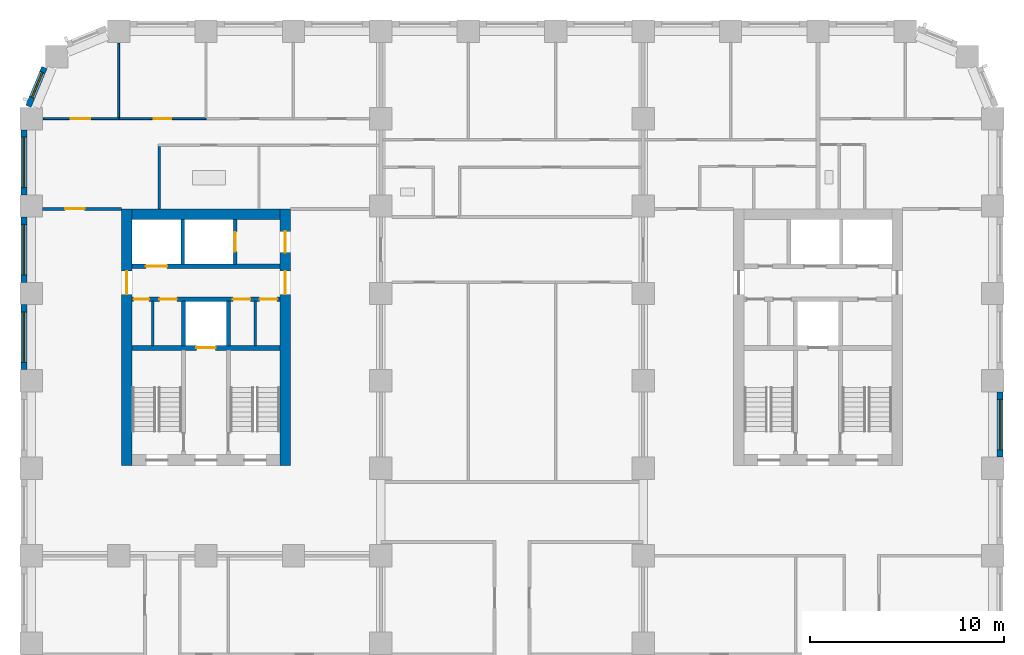
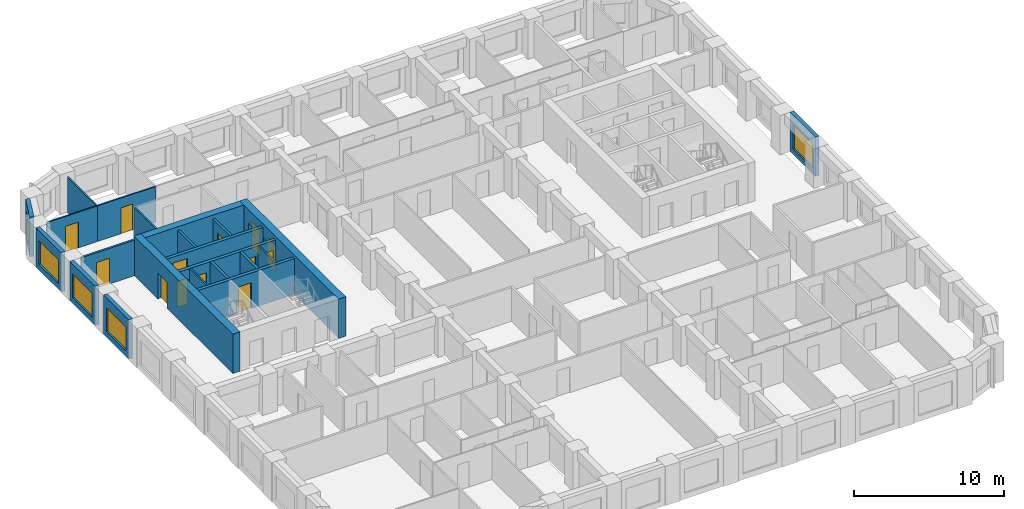
# One storey, part 6 of 13: 22 walls, 13 doors, 5 windows, 18 openings.
"""IFC4 building model written with IfcOpenShell, lengths in metres."""

import ifcopenshell
import ifcopenshell.guid

model = None  # the IFC model being written
_history = None  # IfcOwnerHistory: only IFC2X3 demands one
_inside = {}  # id of a spatial element -> (the spatial element, [elements in it])
_under = {}  # id of a project, library or spatial element -> (it, [spatial elements below it])
_declared = {}  # id of a project -> (the project, [libraries it declares])
_typed = {}  # id of a type object -> (the type object, [elements of that type])
_made_of = {}  # id of a material, layer set ... -> (it, [elements and type objects made of it])


def new_model(schema):
    """Start an empty IFC model of exactly this schema.

    Asked for "IFC4X3", IfcOpenShell would pick the latest addendum, in which some entities
    have other attributes; the version numbers below select the first issue.
    IFC2X3 requires an IfcOwnerHistory on every rooted entity: one is made here for all.
    """
    global model, _history
    if schema == "IFC4X3":
        model = ifcopenshell.file(schema_version=(4, 3, 0, 0))
    else:
        model = ifcopenshell.file(schema=schema)
    _inside.clear()
    _under.clear()
    _declared.clear()
    _typed.clear()
    _made_of.clear()
    _history = None
    if model.schema == "IFC2X3":
        org = make("IfcOrganization", Name="unknown")
        user = make(
            "IfcPersonAndOrganization",
            ThePerson=make("IfcPerson", FamilyName="unknown"),
            TheOrganization=org,
        )
        app = make(
            "IfcApplication",
            ApplicationDeveloper=org,
            Version="unknown",
            ApplicationFullName="unknown",
            ApplicationIdentifier="unknown",
        )
        _history = make(
            "IfcOwnerHistory",
            OwningUser=user,
            OwningApplication=app,
            ChangeAction="ADDED",
            CreationDate=0,
        )
    return model


def make(cls, **values):
    """One entity of the class cls with the attributes given. An attribute that is None is left unset."""
    return model.create_entity(
        cls, **{name: value for name, value in values.items() if value is not None}
    )


def rooted(cls, **values):
    """An entity with a GlobalId (a new one), such as an element, a storey or a relation."""
    return make(cls, GlobalId=ifcopenshell.guid.new(), OwnerHistory=_history, **values)


def si_unit(unit_type, name, prefix=None):
    """IfcSIUnit, for example si_unit("LENGTHUNIT", "METRE", prefix="MILLI")."""
    return make("IfcSIUnit", UnitType=unit_type, Prefix=prefix, Name=name)


def assignment(units):
    """IfcUnitAssignment: the units of a project."""
    return None if units is None else make("IfcUnitAssignment", Units=units)


def point(xyz):
    """IfcCartesianPoint."""
    return None if xyz is None else make("IfcCartesianPoint", Coordinates=xyz)


def direction(xyz):
    """IfcDirection."""
    return None if xyz is None else make("IfcDirection", DirectionRatios=xyz)


def frame(location, z_axis=None, x_axis=None):
    """IfcAxis2Placement3D, a coordinate frame: its origin and axes. An axis left out is left unset."""
    return make(
        "IfcAxis2Placement3D",
        Location=point(location),
        Axis=direction(z_axis),
        RefDirection=direction(x_axis),
    )


def frame_2d(location, x_axis=None):
    """IfcAxis2Placement2D, a coordinate frame in the plane: its origin and x axis."""
    return make(
        "IfcAxis2Placement2D", Location=point(location), RefDirection=direction(x_axis)
    )


def origin():
    """The frame at (0, 0, 0) with its axes left unset."""
    return frame((0.0, 0.0, 0.0))


def place(relative_to, where):
    """IfcLocalPlacement: puts the frame where relative to a parent placement (None: the world)."""
    return make(
        "IfcLocalPlacement", PlacementRelTo=relative_to, RelativePlacement=where
    )


def context(
    kind, dimensions, precision=None, world=None, true_north=None, identifier=None
):
    """IfcGeometricRepresentationContext, for example the 3D "Model" context."""
    return make(
        "IfcGeometricRepresentationContext",
        ContextIdentifier=identifier,
        ContextType=kind,
        CoordinateSpaceDimension=dimensions,
        Precision=precision,
        WorldCoordinateSystem=world,
        TrueNorth=true_north,
    )


def subcontext(parent, identifier, kind, view, scale=None):
    """IfcGeometricRepresentationSubContext, for example "Body" below "Model"."""
    return make(
        "IfcGeometricRepresentationSubContext",
        ContextIdentifier=identifier,
        ContextType=kind,
        ParentContext=parent,
        TargetScale=scale,
        TargetView=view,
    )


def project(units=None, contexts=None):
    """IfcProject with its units and contexts."""
    return rooted(
        "IfcProject",
        Name="project",
        RepresentationContexts=contexts,
        UnitsInContext=assignment(units),
    )


def spatial(cls, under=None, at=None, **own):
    """A site, building, storey or space (cls), placed at a placement, below another one or the project."""
    s = rooted(cls, ObjectPlacement=at, **own)
    if under is not None:
        _under.setdefault(under.id(), (under, []))[1].append(s)
    return s


def profile(cls, at=None, kind="AREA", **sizes):
    """A parametric profile (cls). Its sizes go by their IFC names, for example OverallWidth=200.0."""
    return make(cls, ProfileType=kind, Position=at, **sizes)


def rectangle(**sizes):
    """IfcRectangleProfileDef."""
    return profile("IfcRectangleProfileDef", **sizes)


def extrude(swept, where, along, depth):
    """IfcExtrudedAreaSolid: the profile swept, set in the frame where, extruded along a direction by depth."""
    return make(
        "IfcExtrudedAreaSolid",
        SweptArea=swept,
        Position=where,
        ExtrudedDirection=direction(along),
        Depth=depth,
    )


def shape(context_of_items, identifier, shape_type, items):
    """IfcShapeRepresentation: the items that make up one representation, for example the "Body"."""
    return make(
        "IfcShapeRepresentation",
        ContextOfItems=context_of_items,
        RepresentationIdentifier=identifier,
        RepresentationType=shape_type,
        Items=items,
    )


def material(Name=None, Category=None):
    """IfcMaterial."""
    return make("IfcMaterial", Name=Name, Category=Category)


def layer(
    of_material, thickness, ventilated=None, Name=None, Category=None, Priority=None
):
    """IfcMaterialLayer: one layer of a wall or slab, of a material (None: an air gap)."""
    return make(
        "IfcMaterialLayer",
        Material=of_material,
        LayerThickness=thickness,
        IsVentilated=ventilated,
        Name=Name,
        Category=Category,
        Priority=Priority,
    )


def layer_set(layers, Name=None):
    """IfcMaterialLayerSet."""
    return make("IfcMaterialLayerSet", MaterialLayers=layers, LayerSetName=Name)


def made_of(thing, what):
    """Note that an element or type object is made of a material, layer set ...; save() writes the relation."""
    if what is not None:
        _made_of.setdefault(what.id(), (what, []))[1].append(thing)
    return thing


def type_object(cls, material=None, **own):
    """A type object (cls), such as IfcWallType, which elements share."""
    return made_of(rooted(cls, **own), material)


def element(
    cls,
    number,
    at=None,
    inside=None,
    cuts=None,
    type_object=None,
    material=None,
    context=None,
    identifier="Body",
    shape_type=None,
    held_by="IfcProductDefinitionShape",
    body=None,
    shapes=None,
    **own,
):
    """One element of the class cls, such as IfcWall. Its Tag is "e" and its number.

    at: its placement. inside: the storey or other place that contains it. cuts: it is an
    opening in that element (IfcRelVoidsElement). A single representation is given by context,
    identifier, shape_type and body (its items); several are given by shapes. held_by: the class
    of the entity that holds the representations. save() writes the other relations.
    """
    e = rooted(cls, Tag="e%d" % number, ObjectPlacement=at, **own)
    if body is not None:
        shapes = [shape(context, identifier, shape_type, body)]
    if shapes is not None:
        e.Representation = make(held_by, Representations=shapes)
    if inside is not None:
        _inside.setdefault(inside.id(), (inside, []))[1].append(e)
    if cuts is not None:
        rooted(
            "IfcRelVoidsElement", RelatingBuildingElement=cuts, RelatedOpeningElement=e
        )
    if type_object is not None:
        _typed.setdefault(type_object.id(), (type_object, []))[1].append(e)
    return made_of(e, material)


def fill(opening, filler):
    """IfcRelFillsElement: the door or window that sits in an opening."""
    return rooted(
        "IfcRelFillsElement",
        RelatingOpeningElement=opening,
        RelatedBuildingElement=filler,
    )


def aggregate(whole, parts):
    """IfcRelAggregates: a whole, such as a stair, and the parts it consists of."""
    return rooted("IfcRelAggregates", RelatingObject=whole, RelatedObjects=parts)


def save(model, path):
    """Write the relations noted so far, then the file.

    IfcRelAggregates (storeys below a building ...), IfcRelContainedInSpatialStructure (elements
    in a storey), IfcRelDefinesByType, IfcRelAssociatesMaterial and IfcRelDeclares: one each for
    every whole, place, type object, material and project.
    """
    for whole, parts in _under.values():
        aggregate(whole, parts)
    for where, things in _inside.values():
        rooted(
            "IfcRelContainedInSpatialStructure",
            RelatedElements=things,
            RelatingStructure=where,
        )
    for kind, things in _typed.values():
        rooted("IfcRelDefinesByType", RelatedObjects=things, RelatingType=kind)
    for what, things in _made_of.values():
        rooted("IfcRelAssociatesMaterial", RelatedObjects=things, RelatingMaterial=what)
    for by, libraries in _declared.values():
        rooted("IfcRelDeclares", RelatingContext=by, RelatedDefinitions=libraries)
    model.write(path)


model = new_model("IFC4")

# Units and contexts
model_context = context("Model", 3, precision=1e-05, world=origin(), true_north=direction((0.0, 1.0)))
body_context = subcontext(model_context, "Body", "Model", "MODEL_VIEW")
ifc_project = project(units=[si_unit("LENGTHUNIT", "METRE"), si_unit("AREAUNIT", "SQUARE_METRE"), si_unit("VOLUMEUNIT", "CUBIC_METRE"), si_unit("PLANEANGLEUNIT", "RADIAN"), si_unit("MASSUNIT", "GRAM", prefix="KILO")], contexts=[model_context])

# Site, building, storey
site_placement = place(None, origin())
site = spatial("IfcSite", under=ifc_project, at=site_placement, CompositionType="ELEMENT")
building_placement = place(site_placement, origin())
building = spatial("IfcBuilding", under=site, at=building_placement, Name="Girih Gate Residences", CompositionType="ELEMENT")
storey_placement = place(building_placement, frame((0.0, 0.0, 89.60009765625)))
storey = spatial("IfcBuildingStorey", under=building, at=storey_placement, Name="L24", CompositionType="ELEMENT", Elevation=89.60009765625)

# Wall, opening, door
ifc_material_1 = material(Name="Gypsum board on steel studs", Category="steel")
ifc_layer_1 = layer(ifc_material_1, 0.14990234375)
ifc_layer_set_1 = layer_set([ifc_layer_1], Name="Compartment wall 150 mm")
wall_type_1 = type_object("IfcWallType", Name="Compartment wall 150 mm", PredefinedType="PARTITIONING", material=ifc_layer_set_1)
wall_1_placement = place(storey_placement, frame((0.574951171875, 40.35009765625, 0.0), z_axis=(0.0, 0.0, 1.0), x_axis=(1.0, 0.0, 0.0)))
wall_1 = element("IfcWall", 1, at=wall_1_placement, inside=storey, type_object=wall_type_1, Name="L24 partition", PredefinedType="PARTITIONING", context=body_context, shape_type="SweptSolid", body=[
    extrude(rectangle(XDim=4.074951171875, YDim=0.14990234375, at=frame_2d((2.03759765625, 0.0))), origin(), (0.0, 0.0, 1.0), 2.89990234375),
])
opening_1_placement = place(wall_1_placement, frame((1.175048828125, 0.0, 0.0)))
opening_1 = element("IfcOpeningElement", 2, at=opening_1_placement, cuts=wall_1, Name="Opening A24-014", PredefinedType="OPENING", context=body_context, shape_type="SweptSolid", body=[
    extrude(rectangle(XDim=1.0, YDim=2.10009765625, at=frame_2d((0.5, 1.050048828125))), frame((0.0, 0.0849609375, 0.0), z_axis=(0.0, -1.0, 0.0), x_axis=(1.0, 0.0, 0.0)), (0.0, 0.0, 1.0), 0.169921875),
])
ifc_material_2 = material(Name="Timber, fire-rated core", Category="wood")
door_type_1 = type_object("IfcDoorType", Name="Flat entrance door 1000x2100 FD30S", OperationType="NOTDEFINED", PredefinedType="DOOR", material=ifc_material_2)
door_1_placement = place(opening_1_placement, origin())
door_1 = element("IfcDoor", 3, at=door_1_placement, inside=storey, type_object=door_type_1, Name="Door A24-014", OperationType="SINGLE_SWING_LEFT", OverallHeight=2.10009765625, OverallWidth=1.0, PredefinedType="DOOR", context=body_context, shape_type="SweptSolid", body=[
    extrude(rectangle(XDim=1.0, YDim=2.10009765625, at=frame_2d((0.5, 1.050048828125))), frame((0.0, 0.02490234375, 0.0), z_axis=(0.0, -1.0, 0.0), x_axis=(1.0, 0.0, 0.0)), (0.0, 0.0, 1.0), 0.050048828125),
])
fill(opening_1, door_1)

# Wall
ifc_material_3 = material(Name="Concrete C60/75", Category="concrete")
ifc_layer_2 = layer(ifc_material_3, 0.550048828125)
ifc_layer_set_2 = layer_set([ifc_layer_2], Name="Core wall RC 550 Concrete C60/75")
wall_type_2 = type_object("IfcWallType", Name="Core wall RC 550 Concrete C60/75", PredefinedType="SOLIDWALL", material=ifc_layer_set_2)
wall_2_placement = place(storey_placement, frame((5.199951171875, 40.074951171875, 0.0), z_axis=(0.0, 0.0, 1.0), x_axis=(1.0, 0.0, 0.0)))
element("IfcWall", 4, at=wall_2_placement, inside=storey, type_object=wall_type_2, Name="Core wall W-N L24", PredefinedType="SOLIDWALL", context=body_context, shape_type="SweptSolid", body=[
    extrude(rectangle(XDim=7.60009765625, YDim=0.550048828125, at=frame_2d((3.800048828125, 0.0))), origin(), (0.0, 0.0, 1.0), 3.199951171875),
])

# Wall, opening, door
wall_3_placement = place(storey_placement, frame((4.925048828125, 27.14990234375, 0.0), z_axis=(0.0, 0.0, 1.0), x_axis=(0.0, 1.0, 0.0)))
wall_3 = element("IfcWall", 5, at=wall_3_placement, inside=storey, type_object=wall_type_2, Name="Core wall W-W L24", PredefinedType="SOLIDWALL", context=body_context, shape_type="SweptSolid", body=[
    extrude(rectangle(XDim=13.2001953125, YDim=0.550048828125, at=frame_2d((6.60009765625, 0.0))), origin(), (0.0, 0.0, 1.0), 3.199951171875),
])
opening_2_placement = place(wall_3_placement, frame((8.800048828125, 0.0, 0.0)))
opening_2 = element("IfcOpeningElement", 6, at=opening_2_placement, cuts=wall_3, Name="Opening D-L24-W-014", PredefinedType="OPENING", context=body_context, shape_type="SweptSolid", body=[
    extrude(rectangle(XDim=1.199951171875, YDim=2.10009765625, at=frame_2d((0.60009765625, 1.050048828125))), frame((0.0, 0.284912109375, 0.0), z_axis=(0.0, -1.0, 0.0), x_axis=(1.0, 0.0, 0.0)), (0.0, 0.0, 1.0), 0.570068359375),
])
ifc_material_4 = material(Name="Painted steel, fire-resisting", Category="steel")
door_type_2 = type_object("IfcDoorType", Name="Fire door 1200x2100", OperationType="SINGLE_SWING_LEFT", PredefinedType="DOOR", material=ifc_material_4)
door_2_placement = place(opening_2_placement, origin())
door_2 = element("IfcDoor", 7, at=door_2_placement, inside=storey, type_object=door_type_2, Name="L24 W core door ll-w", OperationType="SINGLE_SWING_LEFT", OverallHeight=2.10009765625, OverallWidth=1.199951171875, PredefinedType="DOOR", context=body_context, shape_type="SweptSolid", body=[
    extrude(rectangle(XDim=1.199951171875, YDim=2.10009765625, at=frame_2d((0.60009765625, 1.050048828125))), frame((0.0, 0.02490234375, 0.0), z_axis=(0.0, -1.0, 0.0), x_axis=(1.0, 0.0, 0.0)), (0.0, 0.0, 1.0), 0.050048828125),
])
fill(opening_2, door_2)

# Wall, openings, doors
wall_4_placement = place(storey_placement, frame((13.074951171875, 27.14990234375, 0.0), z_axis=(0.0, 0.0, 1.0), x_axis=(0.0, 1.0, 0.0)))
wall_4 = element("IfcWall", 8, at=wall_4_placement, inside=storey, type_object=wall_type_2, Name="Core wall W-E L24", PredefinedType="SOLIDWALL", context=body_context, shape_type="SweptSolid", body=[
    extrude(rectangle(XDim=13.2001953125, YDim=0.550048828125, at=frame_2d((6.60009765625, 0.0))), origin(), (0.0, 0.0, 1.0), 3.199951171875),
])
opening_3_placement = place(wall_4_placement, frame((10.949951171875, 0.0, 0.0)))
opening_3 = element("IfcOpeningElement", 9, at=opening_3_placement, cuts=wall_4, Name="Opening D-L24-W-013", PredefinedType="OPENING", context=body_context, shape_type="SweptSolid", body=[
    extrude(rectangle(XDim=1.10009765625, YDim=2.10009765625, at=frame_2d((0.550048828125, 1.050048828125))), frame((0.0, 0.284912109375, 0.0), z_axis=(0.0, -1.0, 0.0), x_axis=(1.0, 0.0, 0.0)), (0.0, 0.0, 1.0), 0.570068359375),
])
opening_4_placement = place(wall_4_placement, frame((8.800048828125, 0.0, 0.0)))
opening_4 = element("IfcOpeningElement", 10, at=opening_4_placement, cuts=wall_4, Name="Opening D-L24-W-015", PredefinedType="OPENING", context=body_context, shape_type="SweptSolid", body=[
    extrude(rectangle(XDim=1.199951171875, YDim=2.10009765625, at=frame_2d((0.60009765625, 1.050048828125))), frame((0.0, 0.284912109375, 0.0), z_axis=(0.0, -1.0, 0.0), x_axis=(1.0, 0.0, 0.0)), (0.0, 0.0, 1.0), 0.570068359375),
])
door_type_3 = type_object("IfcDoorType", Name="Fire door 1100x2100", OperationType="SINGLE_SWING_LEFT", PredefinedType="DOOR", material=ifc_material_4)
door_3_placement = place(opening_3_placement, origin())
door_3 = element("IfcDoor", 11, at=door_3_placement, inside=storey, type_object=door_type_3, Name="L24 W core door ffl2-e", OperationType="SINGLE_SWING_LEFT", OverallHeight=2.10009765625, OverallWidth=1.10009765625, PredefinedType="DOOR", context=body_context, shape_type="SweptSolid", body=[
    extrude(rectangle(XDim=1.10009765625, YDim=2.10009765625, at=frame_2d((0.550048828125, 1.050048828125))), frame((0.0, 0.02490234375, 0.0), z_axis=(0.0, -1.0, 0.0), x_axis=(1.0, 0.0, 0.0)), (0.0, 0.0, 1.0), 0.050048828125),
])
fill(opening_3, door_3)
door_4_placement = place(opening_4_placement, origin())
door_4 = element("IfcDoor", 12, at=door_4_placement, inside=storey, type_object=door_type_2, Name="L24 W core door ll-e", OperationType="SINGLE_SWING_LEFT", OverallHeight=2.10009765625, OverallWidth=1.199951171875, PredefinedType="DOOR", context=body_context, shape_type="SweptSolid", body=[
    extrude(rectangle(XDim=1.199951171875, YDim=2.10009765625, at=frame_2d((0.60009765625, 1.050048828125))), frame((0.0, 0.02490234375, 0.0), z_axis=(0.0, -1.0, 0.0), x_axis=(1.0, 0.0, 0.0)), (0.0, 0.0, 1.0), 0.050048828125),
])
fill(opening_4, door_4)

# Wall, opening, door
ifc_material_5 = material(Name="Concrete C40/50", Category="concrete")
ifc_layer_3 = layer(ifc_material_5, 0.25)
ifc_layer_set_3 = layer_set([ifc_layer_3], Name="Lift shaft wall 250")
wall_type_3 = type_object("IfcWallType", Name="Lift shaft wall 250", PredefinedType="SOLIDWALL", material=ifc_layer_set_3)
wall_5_placement = place(storey_placement, frame((5.199951171875, 33.199951171875, 0.0), z_axis=(0.0, 0.0, 1.0), x_axis=(1.0, 0.0, 0.0)))
wall_5 = element("IfcWall", 13, at=wall_5_placement, inside=storey, type_object=wall_type_3, Name="L24 W core wall H1", PredefinedType="SOLIDWALL", context=body_context, shape_type="SweptSolid", body=[
    extrude(rectangle(XDim=7.60009765625, YDim=0.25, at=frame_2d((3.800048828125, 0.0))), origin(), (0.0, 0.0, 1.0), 2.89990234375),
])
opening_5_placement = place(wall_5_placement, frame((3.300048828125, 0.0, 0.0)))
opening_5 = element("IfcOpeningElement", 14, at=opening_5_placement, cuts=wall_5, Name="Opening D-L24-W-005", PredefinedType="OPENING", context=body_context, shape_type="SweptSolid", body=[
    extrude(rectangle(XDim=1.0, YDim=2.10009765625, at=frame_2d((0.5, 1.050048828125))), frame((0.0, 0.135009765625, 0.0), z_axis=(0.0, -1.0, 0.0), x_axis=(1.0, 0.0, 0.0)), (0.0, 0.0, 1.0), 0.27001953125),
])
ifc_material_6 = material(Name="Stainless steel, fire-resisting", Category="steel")
door_type_4 = type_object("IfcDoorType", Name="Firefighting lift landing door 1000x2100", OperationType="SLIDING_TO_LEFT", PredefinedType="DOOR", material=ifc_material_6)
door_5_placement = place(opening_5_placement, origin())
door_5 = element("IfcDoor", 15, at=door_5_placement, inside=storey, type_object=door_type_4, Name="L24 lift FF-W landing door", OperationType="SLIDING_TO_LEFT", OverallHeight=2.10009765625, OverallWidth=1.0, PredefinedType="DOOR", context=body_context, shape_type="SweptSolid", body=[
    extrude(rectangle(XDim=1.0, YDim=2.10009765625, at=frame_2d((0.5, 1.050048828125))), frame((0.0, 0.02490234375, 0.0), z_axis=(0.0, -1.0, 0.0), x_axis=(1.0, 0.0, 0.0)), (0.0, 0.0, 1.0), 0.050048828125),
])
fill(opening_5, door_5)

# Wall, openings, doors
wall_6_placement = place(storey_placement, frame((5.199951171875, 35.699951171875, 0.0), z_axis=(0.0, 0.0, 1.0), x_axis=(1.0, 0.0, 0.0)))
wall_6 = element("IfcWall", 16, at=wall_6_placement, inside=storey, type_object=wall_type_3, Name="L24 W core wall H2", PredefinedType="SOLIDWALL", context=body_context, shape_type="SweptSolid", body=[
    extrude(rectangle(XDim=7.60009765625, YDim=0.25, at=frame_2d((3.800048828125, 0.0))), origin(), (0.0, 0.0, 1.0), 2.89990234375),
])
opening_6_placement = place(wall_6_placement, frame((0.074951171875, 0.0, 0.0)))
opening_6 = element("IfcOpeningElement", 17, at=opening_6_placement, cuts=wall_6, Name="Opening D-L24-W-006", PredefinedType="OPENING", context=body_context, shape_type="SweptSolid", body=[
    extrude(rectangle(XDim=0.800048828125, YDim=2.10009765625, at=frame_2d((0.39990234375, 1.050048828125))), frame((0.0, 0.135009765625, 0.0), z_axis=(0.0, -1.0, 0.0), x_axis=(1.0, 0.0, 0.0)), (0.0, 0.0, 1.0), 0.27001953125),
])
opening_7_placement = place(wall_6_placement, frame((1.39990234375, 0.0, 0.0)))
opening_7 = element("IfcOpeningElement", 18, at=opening_7_placement, cuts=wall_6, Name="Opening D-L24-W-007", PredefinedType="OPENING", context=body_context, shape_type="SweptSolid", body=[
    extrude(rectangle(XDim=0.89990234375, YDim=2.10009765625, at=frame_2d((0.449951171875, 1.050048828125))), frame((0.0, 0.135009765625, 0.0), z_axis=(0.0, -1.0, 0.0), x_axis=(1.0, 0.0, 0.0)), (0.0, 0.0, 1.0), 0.27001953125),
])
opening_8_placement = place(wall_6_placement, frame((5.1875, 0.0, 0.0)))
opening_8 = element("IfcOpeningElement", 19, at=opening_8_placement, cuts=wall_6, Name="Opening D-L24-W-008", PredefinedType="OPENING", context=body_context, shape_type="SweptSolid", body=[
    extrude(rectangle(XDim=0.89990234375, YDim=2.10009765625, at=frame_2d((0.449951171875, 1.050048828125))), frame((0.0, 0.135009765625, 0.0), z_axis=(0.0, -1.0, 0.0), x_axis=(1.0, 0.0, 0.0)), (0.0, 0.0, 1.0), 0.27001953125),
])
opening_9_placement = place(wall_6_placement, frame((6.5625, 0.0, 0.0)))
opening_9 = element("IfcOpeningElement", 20, at=opening_9_placement, cuts=wall_6, Name="Opening D-L24-W-009", PredefinedType="OPENING", context=body_context, shape_type="SweptSolid", body=[
    extrude(rectangle(XDim=0.89990234375, YDim=2.10009765625, at=frame_2d((0.449951171875, 1.050048828125))), frame((0.0, 0.135009765625, 0.0), z_axis=(0.0, -1.0, 0.0), x_axis=(1.0, 0.0, 0.0)), (0.0, 0.0, 1.0), 0.27001953125),
])
door_type_5 = type_object("IfcDoorType", Name="Fire door 800x2100", OperationType="SINGLE_SWING_LEFT", PredefinedType="DOOR", material=ifc_material_4)
door_6_placement = place(opening_6_placement, origin())
door_6 = element("IfcDoor", 21, at=door_6_placement, inside=storey, type_object=door_type_5, Name="L24 W electrical room door", OperationType="SINGLE_SWING_LEFT", OverallHeight=2.10009765625, OverallWidth=0.800048828125, PredefinedType="DOOR", context=body_context, shape_type="SweptSolid", body=[
    extrude(rectangle(XDim=0.800048828125, YDim=2.10009765625, at=frame_2d((0.39990234375, 1.050048828125))), frame((0.0, 0.02490234375, 0.0), z_axis=(0.0, -1.0, 0.0), x_axis=(1.0, 0.0, 0.0)), (0.0, 0.0, 1.0), 0.050048828125),
])
fill(opening_6, door_6)
door_type_6 = type_object("IfcDoorType", Name="Fire door 900x2100", OperationType="SINGLE_SWING_LEFT", PredefinedType="DOOR", material=ifc_material_4)
door_7_placement = place(opening_7_placement, origin())
door_7 = element("IfcDoor", 22, at=door_7_placement, inside=storey, type_object=door_type_6, Name="L24 W linen store door", OperationType="SINGLE_SWING_LEFT", OverallHeight=2.10009765625, OverallWidth=0.89990234375, PredefinedType="DOOR", context=body_context, shape_type="SweptSolid", body=[
    extrude(rectangle(XDim=0.89990234375, YDim=2.10009765625, at=frame_2d((0.449951171875, 1.050048828125))), frame((0.0, 0.02490234375, 0.0), z_axis=(0.0, -1.0, 0.0), x_axis=(1.0, 0.0, 0.0)), (0.0, 0.0, 1.0), 0.050048828125),
])
fill(opening_7, door_7)
door_8_placement = place(opening_8_placement, origin())
door_8 = element("IfcDoor", 23, at=door_8_placement, inside=storey, type_object=door_type_6, Name="L24 W store door", OperationType="SINGLE_SWING_LEFT", OverallHeight=2.10009765625, OverallWidth=0.89990234375, PredefinedType="DOOR", context=body_context, shape_type="SweptSolid", body=[
    extrude(rectangle(XDim=0.89990234375, YDim=2.10009765625, at=frame_2d((0.449951171875, 1.050048828125))), frame((0.0, 0.02490234375, 0.0), z_axis=(0.0, -1.0, 0.0), x_axis=(1.0, 0.0, 0.0)), (0.0, 0.0, 1.0), 0.050048828125),
])
fill(opening_8, door_8)
door_9_placement = place(opening_9_placement, origin())
door_9 = element("IfcDoor", 24, at=door_9_placement, inside=storey, type_object=door_type_6, Name="L24 W comms room door", OperationType="SINGLE_SWING_LEFT", OverallHeight=2.10009765625, OverallWidth=0.89990234375, PredefinedType="DOOR", context=body_context, shape_type="SweptSolid", body=[
    extrude(rectangle(XDim=0.89990234375, YDim=2.10009765625, at=frame_2d((0.449951171875, 1.050048828125))), frame((0.0, 0.02490234375, 0.0), z_axis=(0.0, -1.0, 0.0), x_axis=(1.0, 0.0, 0.0)), (0.0, 0.0, 1.0), 0.050048828125),
])
fill(opening_9, door_9)

# Wall, opening, door
wall_7_placement = place(storey_placement, frame((5.199951171875, 37.39990234375, 0.0), z_axis=(0.0, 0.0, 1.0), x_axis=(1.0, 0.0, 0.0)))
wall_7 = element("IfcWall", 25, at=wall_7_placement, inside=storey, type_object=wall_type_3, Name="L24 W core wall H3", PredefinedType="SOLIDWALL", context=body_context, shape_type="SweptSolid", body=[
    extrude(rectangle(XDim=7.60009765625, YDim=0.25, at=frame_2d((3.800048828125, 0.0))), origin(), (0.0, 0.0, 1.0), 2.89990234375),
])
opening_10_placement = place(wall_7_placement, frame((0.699951171875, 0.0, 0.0)))
opening_10 = element("IfcOpeningElement", 26, at=opening_10_placement, cuts=wall_7, Name="Opening D-L24-W-003", PredefinedType="OPENING", context=body_context, shape_type="SweptSolid", body=[
    extrude(rectangle(XDim=1.10009765625, YDim=2.39990234375, at=frame_2d((0.550048828125, 1.199951171875))), frame((0.0, 0.135009765625, 0.0), z_axis=(0.0, -1.0, 0.0), x_axis=(1.0, 0.0, 0.0)), (0.0, 0.0, 1.0), 0.27001953125),
])
ifc_material_7 = material(Name="Stainless steel", Category="steel")
door_type_7 = type_object("IfcDoorType", Name="Lift landing door 1100x2400", OperationType="SLIDING_TO_LEFT", PredefinedType="DOOR", material=ifc_material_7)
door_10_placement = place(opening_10_placement, origin())
door_10 = element("IfcDoor", 27, at=door_10_placement, inside=storey, type_object=door_type_7, Name="L24 lift LR-W1 landing door", OperationType="SLIDING_TO_LEFT", OverallHeight=2.39990234375, OverallWidth=1.10009765625, PredefinedType="DOOR", context=body_context, shape_type="SweptSolid", body=[
    extrude(rectangle(XDim=1.10009765625, YDim=2.39990234375, at=frame_2d((0.550048828125, 1.199951171875))), frame((0.0, 0.02490234375, 0.0), z_axis=(0.0, -1.0, 0.0), x_axis=(1.0, 0.0, 0.0)), (0.0, 0.0, 1.0), 0.050048828125),
])
fill(opening_10, door_10)

ifc_layer_4 = layer(ifc_material_1, 0.10009765625)
ifc_layer_set_4 = layer_set([ifc_layer_4], Name="Partition 100 mm")
wall_type_4 = type_object("IfcWallType", Name="Partition 100 mm", PredefinedType="PARTITIONING", material=ifc_layer_set_4)
wall_8_placement = place(storey_placement, frame((4.5, 45.0, 0.0), z_axis=(0.0, 0.0, 1.0), x_axis=(1.0, 0.0, 0.0)))
wall_8 = element("IfcWall", 28, at=wall_8_placement, inside=storey, type_object=wall_type_4, Name="L24 partition", PredefinedType="PARTITIONING", context=body_context, shape_type="SweptSolid", body=[
    extrude(rectangle(XDim=4.5, YDim=0.10009765625, at=frame_2d((2.25, 0.0))), origin(), (0.0, 0.0, 1.0), 2.89990234375),
])
opening_11_placement = place(wall_8_placement, frame((1.800048828125, 0.0, 0.0)))
opening_11 = element("IfcOpeningElement", 29, at=opening_11_placement, cuts=wall_8, Name="Opening A24-009", PredefinedType="OPENING", context=body_context, shape_type="SweptSolid", body=[
    extrude(rectangle(XDim=0.89990234375, YDim=2.10009765625, at=frame_2d((0.449951171875, 1.050048828125))), frame((0.0, 0.06005859375, 0.0), z_axis=(0.0, -1.0, 0.0), x_axis=(1.0, 0.0, 0.0)), (0.0, 0.0, 1.0), 0.1201171875),
])
ifc_material_8 = material(Name="Timber", Category="wood")
door_type_8 = type_object("IfcDoorType", Name="Bedroom door 900x2100", OperationType="NOTDEFINED", PredefinedType="DOOR", material=ifc_material_8)
door_11_placement = place(opening_11_placement, origin())
door_11 = element("IfcDoor", 30, at=door_11_placement, inside=storey, type_object=door_type_8, Name="Door A24-009", OperationType="SINGLE_SWING_RIGHT", OverallHeight=2.10009765625, OverallWidth=0.89990234375, PredefinedType="DOOR", context=body_context, shape_type="SweptSolid", body=[
    extrude(rectangle(XDim=0.89990234375, YDim=2.10009765625, at=frame_2d((0.449951171875, 1.050048828125))), frame((0.0, 0.02490234375, 0.0), z_axis=(0.0, -1.0, 0.0), x_axis=(1.0, 0.0, 0.0)), (0.0, 0.0, 1.0), 0.050048828125),
])
fill(opening_11, door_11)

# Wall
wall_9_placement = place(storey_placement, frame((4.5, 45.050048828125, 0.0), z_axis=(0.0, 0.0, 1.0), x_axis=(0.0, 1.0, 0.0)))
element("IfcWall", 31, at=wall_9_placement, inside=storey, type_object=wall_type_4, Name="L24 partition", PredefinedType="PARTITIONING", context=body_context, shape_type="SweptSolid", body=[
    extrude(rectangle(XDim=3.82763671875, YDim=0.10009765625, at=frame_2d((1.913818359375, 0.0))), origin(), (0.0, 0.0, 1.0), 2.89990234375),
])

# Wall, opening, door
wall_10_placement = place(storey_placement, frame((0.622314453125, 45.0, 0.0), z_axis=(0.0, 0.0, 1.0), x_axis=(1.0, 0.0, 0.0)))
wall_10 = element("IfcWall", 32, at=wall_10_placement, inside=storey, type_object=wall_type_4, Name="L24 partition", PredefinedType="PARTITIONING", context=body_context, shape_type="SweptSolid", body=[
    extrude(rectangle(XDim=3.877685546875, YDim=0.10009765625, at=frame_2d((1.93896484375, 0.0))), origin(), (0.0, 0.0, 1.0), 2.89990234375),
])
opening_12_placement = place(wall_10_placement, frame((1.4150390625, 0.0, 0.0)))
opening_12 = element("IfcOpeningElement", 33, at=opening_12_placement, cuts=wall_10, Name="Opening A24-013", PredefinedType="OPENING", context=body_context, shape_type="SweptSolid", body=[
    extrude(rectangle(XDim=1.0, YDim=2.10009765625, at=frame_2d((0.5, 1.050048828125))), frame((0.0, 0.06005859375, 0.0), z_axis=(0.0, -1.0, 0.0), x_axis=(1.0, 0.0, 0.0)), (0.0, 0.0, 1.0), 0.1201171875),
])
door_type_9 = type_object("IfcDoorType", Name="Living room door 1000x2100", OperationType="NOTDEFINED", PredefinedType="DOOR", material=ifc_material_8)
door_12_placement = place(opening_12_placement, origin())
door_12 = element("IfcDoor", 34, at=door_12_placement, inside=storey, type_object=door_type_9, Name="Door A24-013", OperationType="SINGLE_SWING_LEFT", OverallHeight=2.10009765625, OverallWidth=1.0, PredefinedType="DOOR", context=body_context, shape_type="SweptSolid", body=[
    extrude(rectangle(XDim=1.0, YDim=2.10009765625, at=frame_2d((0.5, 1.050048828125))), frame((0.0, 0.02490234375, 0.0), z_axis=(0.0, -1.0, 0.0), x_axis=(1.0, 0.0, 0.0)), (0.0, 0.0, 1.0), 0.050048828125),
])
fill(opening_12, door_12)

# Wall, opening, window
ifc_material_9 = material(Name="Precast concrete C50/60", Category="concrete")
ifc_layer_5 = layer(ifc_material_9, 0.080078125, Name="Outer leaf")
ifc_material_10 = material(Name="Rigid PIR insulation")
ifc_layer_6 = layer(ifc_material_10, 0.14990234375, Name="Insulation")
ifc_material_11 = material(Name="Precast concrete C40/50", Category="concrete")
ifc_layer_7 = layer(ifc_material_11, 0.070068359375, Name="Inner leaf")
ifc_layer_set_5 = layer_set([ifc_layer_5, ifc_layer_6, ifc_layer_7], Name="Precast concrete C50/60 external wall 300")
wall_type_5 = type_object("IfcWallType", Name="Precast concrete C50/60 external wall 300", PredefinedType="SOLIDWALL", material=ifc_layer_set_5)
wall_11_placement = place(storey_placement, frame((49.875, 30.925048828125, 0.0), z_axis=(0.0, 0.0, 1.0), x_axis=(0.0, -1.0, 0.0)))
wall_11 = element("IfcWall", 35, at=wall_11_placement, inside=storey, type_object=wall_type_5, Name="External wall E0495_0045.5", PredefinedType="SOLIDWALL", context=body_context, shape_type="SweptSolid", body=[
    extrude(rectangle(XDim=3.35009765625, YDim=0.300048828125, at=frame_2d((1.675048828125, 0.0))), origin(), (0.0, 0.0, 1.0), 3.199951171875),
])
opening_13_placement = place(wall_11_placement, frame((0.375, 0.0, 0.449951171875)))
opening_13 = element("IfcOpeningElement", 36, at=opening_13_placement, cuts=wall_11, Name="Opening W-1A", PredefinedType="OPENING", context=body_context, shape_type="SweptSolid", body=[
    extrude(rectangle(XDim=2.60009765625, YDim=1.949951171875, at=frame_2d((1.300048828125, 0.97509765625))), frame((0.0, 0.159912109375, 0.0), z_axis=(0.0, -1.0, 0.0), x_axis=(1.0, 0.0, 0.0)), (0.0, 0.0, 1.0), 0.320068359375),
])
ifc_material_12 = material(Name="Double glazing in aluminium frame", Category="aluminium")
window_type_1 = type_object("IfcWindowType", Name="Window W-1A 2600x1950", PartitioningType="SINGLE_PANEL", PredefinedType="WINDOW", material=ifc_material_12)
window_1_placement = place(opening_13_placement, origin())
window_1 = element("IfcWindow", 37, at=window_1_placement, inside=storey, type_object=window_type_1, Name="Window W-1A E0495_0045.5", OverallHeight=1.949951171875, OverallWidth=2.60009765625, PartitioningType="SINGLE_PANEL", PredefinedType="WINDOW", context=body_context, shape_type="SweptSolid", body=[
    extrude(rectangle(XDim=2.60009765625, YDim=1.949951171875, at=frame_2d((1.300048828125, 0.97509765625))), frame((0.0, 0.030029296875, 0.0), z_axis=(0.0, -1.0, 0.0), x_axis=(1.0, 0.0, 0.0)), (0.0, 0.0, 1.0), 0.06005859375),
])
fill(opening_13, window_1)

wall_12_placement = place(storey_placement, frame((-0.14404296875, 45.63232421875, 0.0), z_axis=(0.0, 0.0, 1.0), x_axis=(0.382723818695, 0.923862802911, 0.0)))
wall_12 = element("IfcWall", 38, at=wall_12_placement, inside=storey, type_object=wall_type_5, Name="External wall NW0013_0482.0", PredefinedType="SOLIDWALL", context=body_context, shape_type="SweptSolid", body=[
    extrude(rectangle(XDim=2.163818359375, YDim=0.300048828125, at=frame_2d((1.08203125, 0.0))), origin(), (0.0, 0.0, 1.0), 3.199951171875),
])
opening_14_placement = place(wall_12_placement, frame((0.492919921875, 0.0, 0.449951171875)))
opening_14 = element("IfcOpeningElement", 39, at=opening_14_placement, cuts=wall_12, Name="Opening W-2D", PredefinedType="OPENING", context=body_context, shape_type="SweptSolid", body=[
    extrude(rectangle(XDim=1.39990234375, YDim=1.949951171875, at=frame_2d((0.699951171875, 0.97509765625))), frame((0.0, 0.159912109375, 0.0), z_axis=(0.0, -1.0, 0.0), x_axis=(1.0, 0.0, 0.0)), (0.0, 0.0, 1.0), 0.320068359375),
])
window_type_2 = type_object("IfcWindowType", Name="Window W-2D 1400x1950", PartitioningType="SINGLE_PANEL", PredefinedType="WINDOW", material=ifc_material_12)
window_2_placement = place(opening_14_placement, origin())
window_2 = element("IfcWindow", 40, at=window_2_placement, inside=storey, type_object=window_type_2, Name="Window W-2D NW0013_0482.0", OverallHeight=1.949951171875, OverallWidth=1.39990234375, PartitioningType="SINGLE_PANEL", PredefinedType="WINDOW", context=body_context, shape_type="SweptSolid", body=[
    extrude(rectangle(XDim=1.39990234375, YDim=1.949951171875, at=frame_2d((0.699951171875, 0.97509765625))), frame((0.0, 0.030029296875, 0.0), z_axis=(0.0, -1.0, 0.0), x_axis=(1.0, 0.0, 0.0)), (0.0, 0.0, 1.0), 0.06005859375),
])
fill(opening_14, window_2)

wall_13_placement = place(storey_placement, frame((-0.375, 41.074951171875, 0.0), z_axis=(0.0, 0.0, 1.0), x_axis=(0.0, 1.0, 0.0)))
wall_13 = element("IfcWall", 41, at=wall_13_placement, inside=storey, type_object=wall_type_5, Name="External wall W0000_0450.0", PredefinedType="SOLIDWALL", context=body_context, shape_type="SweptSolid", body=[
    extrude(rectangle(XDim=3.35009765625, YDim=0.300048828125, at=frame_2d((1.675048828125, 0.0))), origin(), (0.0, 0.0, 1.0), 3.199951171875),
])
opening_15_placement = place(wall_13_placement, frame((0.375, 0.0, 0.449951171875)))
opening_15 = element("IfcOpeningElement", 42, at=opening_15_placement, cuts=wall_13, Name="Opening W-1A", PredefinedType="OPENING", context=body_context, shape_type="SweptSolid", body=[
    extrude(rectangle(XDim=2.60009765625, YDim=1.949951171875, at=frame_2d((1.300048828125, 0.97509765625))), frame((0.0, 0.159912109375, 0.0), z_axis=(0.0, -1.0, 0.0), x_axis=(1.0, 0.0, 0.0)), (0.0, 0.0, 1.0), 0.320068359375),
])
window_3_placement = place(opening_15_placement, origin())
window_3 = element("IfcWindow", 43, at=window_3_placement, inside=storey, type_object=window_type_1, Name="Window W-1A W0000_0450.0", OverallHeight=1.949951171875, OverallWidth=2.60009765625, PartitioningType="SINGLE_PANEL", PredefinedType="WINDOW", context=body_context, shape_type="SweptSolid", body=[
    extrude(rectangle(XDim=2.60009765625, YDim=1.949951171875, at=frame_2d((1.300048828125, 0.97509765625))), frame((0.0, 0.030029296875, 0.0), z_axis=(0.0, -1.0, 0.0), x_axis=(1.0, 0.0, 0.0)), (0.0, 0.0, 1.0), 0.06005859375),
])
fill(opening_15, window_3)

wall_14_placement = place(storey_placement, frame((-0.375, 36.574951171875, 0.0), z_axis=(0.0, 0.0, 1.0), x_axis=(0.0, 1.0, 0.0)))
wall_14 = element("IfcWall", 44, at=wall_14_placement, inside=storey, type_object=wall_type_5, Name="External wall W0000_0450.1", PredefinedType="SOLIDWALL", context=body_context, shape_type="SweptSolid", body=[
    extrude(rectangle(XDim=3.35009765625, YDim=0.300048828125, at=frame_2d((1.675048828125, 0.0))), origin(), (0.0, 0.0, 1.0), 3.199951171875),
])
opening_16_placement = place(wall_14_placement, frame((0.375, 0.0, 0.449951171875)))
opening_16 = element("IfcOpeningElement", 45, at=opening_16_placement, cuts=wall_14, Name="Opening W-1A", PredefinedType="OPENING", context=body_context, shape_type="SweptSolid", body=[
    extrude(rectangle(XDim=2.60009765625, YDim=1.949951171875, at=frame_2d((1.300048828125, 0.97509765625))), frame((0.0, 0.159912109375, 0.0), z_axis=(0.0, -1.0, 0.0), x_axis=(1.0, 0.0, 0.0)), (0.0, 0.0, 1.0), 0.320068359375),
])
window_4_placement = place(opening_16_placement, origin())
window_4 = element("IfcWindow", 46, at=window_4_placement, inside=storey, type_object=window_type_1, Name="Window W-1A W0000_0450.1", OverallHeight=1.949951171875, OverallWidth=2.60009765625, PartitioningType="SINGLE_PANEL", PredefinedType="WINDOW", context=body_context, shape_type="SweptSolid", body=[
    extrude(rectangle(XDim=2.60009765625, YDim=1.949951171875, at=frame_2d((1.300048828125, 0.97509765625))), frame((0.0, 0.030029296875, 0.0), z_axis=(0.0, -1.0, 0.0), x_axis=(1.0, 0.0, 0.0)), (0.0, 0.0, 1.0), 0.06005859375),
])
fill(opening_16, window_4)

wall_15_placement = place(storey_placement, frame((-0.375, 32.074951171875, 0.0), z_axis=(0.0, 0.0, 1.0), x_axis=(0.0, 1.0, 0.0)))
wall_15 = element("IfcWall", 47, at=wall_15_placement, inside=storey, type_object=wall_type_5, Name="External wall W0000_0450.2", PredefinedType="SOLIDWALL", context=body_context, shape_type="SweptSolid", body=[
    extrude(rectangle(XDim=3.35009765625, YDim=0.300048828125, at=frame_2d((1.675048828125, 0.0))), origin(), (0.0, 0.0, 1.0), 3.199951171875),
])
opening_17_placement = place(wall_15_placement, frame((0.375, 0.0, 0.449951171875)))
opening_17 = element("IfcOpeningElement", 48, at=opening_17_placement, cuts=wall_15, Name="Opening W-1A", PredefinedType="OPENING", context=body_context, shape_type="SweptSolid", body=[
    extrude(rectangle(XDim=2.60009765625, YDim=1.949951171875, at=frame_2d((1.300048828125, 0.97509765625))), frame((0.0, 0.159912109375, 0.0), z_axis=(0.0, -1.0, 0.0), x_axis=(1.0, 0.0, 0.0)), (0.0, 0.0, 1.0), 0.320068359375),
])
window_5_placement = place(opening_17_placement, origin())
window_5 = element("IfcWindow", 49, at=window_5_placement, inside=storey, type_object=window_type_1, Name="Window W-1A W0000_0450.2", OverallHeight=1.949951171875, OverallWidth=2.60009765625, PartitioningType="SINGLE_PANEL", PredefinedType="WINDOW", context=body_context, shape_type="SweptSolid", body=[
    extrude(rectangle(XDim=2.60009765625, YDim=1.949951171875, at=frame_2d((1.300048828125, 0.97509765625))), frame((0.0, 0.030029296875, 0.0), z_axis=(0.0, -1.0, 0.0), x_axis=(1.0, 0.0, 0.0)), (0.0, 0.0, 1.0), 0.06005859375),
])
fill(opening_17, window_5)

# Wall
ifc_layer_8 = layer(ifc_material_5, 0.175048828125)
ifc_layer_set_6 = layer_set([ifc_layer_8], Name="Riser shaft wall 175")
wall_type_6 = type_object("IfcWallType", Name="Riser shaft wall 175", PredefinedType="SOLIDWALL", material=ifc_layer_set_6)
wall_16_placement = place(storey_placement, frame((7.800048828125, 37.5, 0.0), z_axis=(0.0, 0.0, 1.0), x_axis=(0.0, 1.0, 0.0)))
element("IfcWall", 50, at=wall_16_placement, inside=storey, type_object=wall_type_6, Name="L24 W core wall V1c", PredefinedType="SOLIDWALL", context=body_context, shape_type="SweptSolid", body=[
    extrude(rectangle(XDim=2.300048828125, YDim=0.175048828125, at=frame_2d((1.14990234375, 0.0))), origin(), (0.0, 0.0, 1.0), 2.89990234375),
])

# Wall, opening, door
wall_17_placement = place(storey_placement, frame((10.5, 37.5, 0.0), z_axis=(0.0, 0.0, 1.0), x_axis=(0.0, 1.0, 0.0)))
wall_17 = element("IfcWall", 51, at=wall_17_placement, inside=storey, type_object=wall_type_6, Name="L24 W core wall V2c", PredefinedType="SOLIDWALL", context=body_context, shape_type="SweptSolid", body=[
    extrude(rectangle(XDim=2.300048828125, YDim=0.175048828125, at=frame_2d((1.14990234375, 0.0))), origin(), (0.0, 0.0, 1.0), 2.89990234375),
])
opening_18_placement = place(wall_17_placement, frame((0.64990234375, 0.0, 0.0)))
opening_18 = element("IfcOpeningElement", 52, at=opening_18_placement, cuts=wall_17, Name="Opening D-L24-W-004", PredefinedType="OPENING", context=body_context, shape_type="SweptSolid", body=[
    extrude(rectangle(XDim=1.0, YDim=2.10009765625, at=frame_2d((0.5, 1.050048828125))), frame((0.0, 0.097412109375, 0.0), z_axis=(0.0, -1.0, 0.0), x_axis=(1.0, 0.0, 0.0)), (0.0, 0.0, 1.0), 0.195068359375),
])
door_13_placement = place(opening_18_placement, origin())
door_13 = element("IfcDoor", 53, at=door_13_placement, inside=storey, type_object=door_type_4, Name="L24 lift FF-W2 landing door", OperationType="SLIDING_TO_LEFT", OverallHeight=2.10009765625, OverallWidth=1.0, PredefinedType="DOOR", context=body_context, shape_type="SweptSolid", body=[
    extrude(rectangle(XDim=1.0, YDim=2.10009765625, at=frame_2d((0.5, 1.050048828125))), frame((0.0, 0.02490234375, 0.0), z_axis=(0.0, -1.0, 0.0), x_axis=(1.0, 0.0, 0.0)), (0.0, 0.0, 1.0), 0.050048828125),
])
fill(opening_18, door_13)

# Walls
ifc_layer_9 = layer(ifc_material_5, 0.199951171875)
ifc_layer_set_7 = layer_set([ifc_layer_9], Name="Shaft wall 200")
wall_type_7 = type_object("IfcWallType", Name="Shaft wall 200", PredefinedType="SOLIDWALL", material=ifc_layer_set_7)
for number, where, z_axis, x_axis, name in (
    (54, (7.85009765625, 33.300048828125, 0.0), (0.0, 0.0, 1.0), (0.0, 1.0, 0.0), "L24 W core wall V1b"),
    (55, (10.14990234375, 33.300048828125, 0.0), (0.0, 0.0, 1.0), (0.0, 1.0, 0.0), "L24 W core wall V2b"),
):
    element("IfcWall", number, at=place(storey_placement, frame(where, z_axis=z_axis, x_axis=x_axis)), inside=storey, type_object=wall_type_7, Name=name, PredefinedType="SOLIDWALL", context=body_context, shape_type="SweptSolid", body=[
        extrude(rectangle(XDim=2.300048828125, YDim=0.199951171875, at=frame_2d((1.14990234375, 0.0))), origin(), (0.0, 0.0, 1.0), 2.89990234375),
    ])
ifc_material_13 = material(Name="Calcium silicate blockwork", Category="masonry")
ifc_layer_10 = layer(ifc_material_13, 0.125)
ifc_layer_set_8 = layer_set([ifc_layer_10], Name="Store partition 125")
wall_type_8 = type_object("IfcWallType", Name="Store partition 125", PredefinedType="PARTITIONING", material=ifc_layer_set_8)
for number, where, z_axis, x_axis, name in (
    (56, (6.25, 33.300048828125, 0.0), (0.0, 0.0, 1.0), (0.0, 1.0, 0.0), "L24 W core wall SHR1"),
    (57, (11.52490234375, 33.300048828125, 0.0), (0.0, 0.0, 1.0), (0.0, 1.0, 0.0), "L24 W core wall SHR2"),
):
    element("IfcWall", number, at=place(storey_placement, frame(where, z_axis=z_axis, x_axis=x_axis)), inside=storey, type_object=wall_type_8, Name=name, PredefinedType="PARTITIONING", context=body_context, shape_type="SweptSolid", body=[
        extrude(rectangle(XDim=2.300048828125, YDim=0.125, at=frame_2d((1.14990234375, 0.0))), origin(), (0.0, 0.0, 1.0), 2.89990234375),
    ])
ifc_layer_11 = layer(ifc_material_1, 0.125)
ifc_layer_set_9 = layer_set([ifc_layer_11], Name="Wet room wall 125 mm")
wall_type_9 = type_object("IfcWallType", Name="Wet room wall 125 mm", PredefinedType="PARTITIONING", material=ifc_layer_set_9)
wall_18_placement = place(storey_placement, frame((6.60009765625, 40.35009765625, 0.0), z_axis=(0.0, 0.0, 1.0), x_axis=(0.0, 1.0, 0.0)))
element("IfcWall", 58, at=wall_18_placement, inside=storey, type_object=wall_type_9, Name="L24 partition", PredefinedType="PARTITIONING", context=body_context, shape_type="SweptSolid", body=[
    extrude(rectangle(XDim=3.20751953125, YDim=0.125, at=frame_2d((1.603759765625, 0.0))), origin(), (0.0, 0.0, 1.0), 2.89990234375),
])

save(model, "model.ifc")
